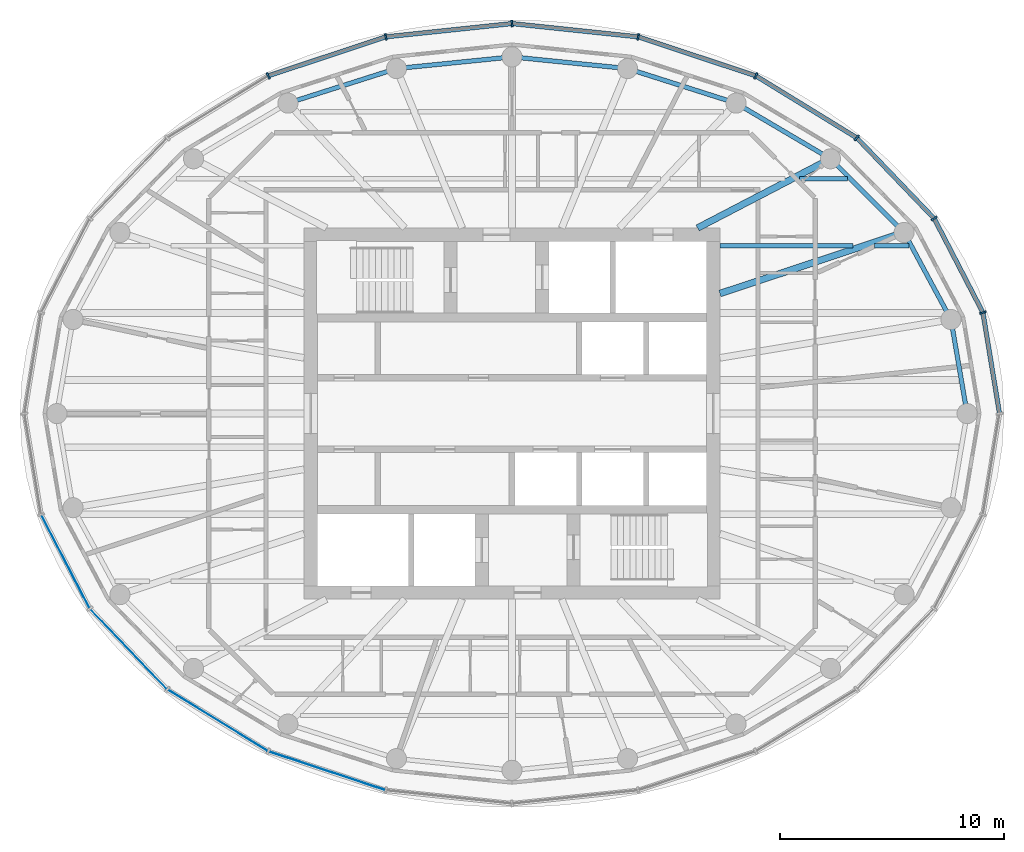
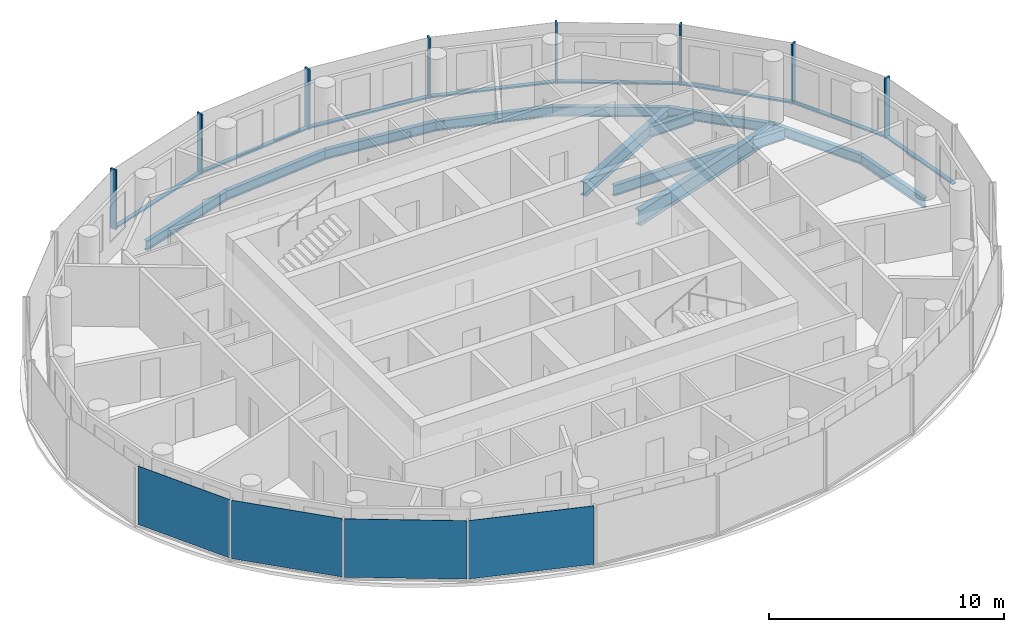
# One storey, part 3 of 11: 16 members, 13 beams, 4 plates, 3 elements without a shape of their own.
"""IFC4 building model written with IfcOpenShell, lengths in metres."""

from ifc_helpers import new_model, si_unit, direction, frame, origin, origin_2d, place, context, subcontext, project, spatial, rectangle, i_section, extrude, material, layer, layer_set, material_profile, profile_set, type_object, element, aggregate, save


model = new_model("IFC4")

# Units and contexts
model_context = context("Model", 3, precision=1e-05, world=origin(), true_north=direction((0.0, 1.0)))
body_context = subcontext(model_context, "Body", "Model", "MODEL_VIEW")
ifc_project = project(units=[si_unit("LENGTHUNIT", "METRE"), si_unit("AREAUNIT", "SQUARE_METRE"), si_unit("VOLUMEUNIT", "CUBIC_METRE"), si_unit("PLANEANGLEUNIT", "RADIAN"), si_unit("MASSUNIT", "GRAM", prefix="KILO")], contexts=[model_context])

# Site, building, storey
site_placement = place(None, origin())
site = spatial("IfcSite", under=ifc_project, at=site_placement, CompositionType="ELEMENT")
building_placement = place(site_placement, origin())
building = spatial("IfcBuilding", under=site, at=building_placement, Name="Hankou Lantern Tower", CompositionType="ELEMENT")
storey_placement = place(building_placement, frame((0.0, 0.0, 212.699951171875)))
storey = spatial("IfcBuildingStorey", under=building, at=storey_placement, Name="L57", CompositionType="ELEMENT", Elevation=212.699951171875)

# Beams
ifc_material_1 = material(Name="Steel Q355B", Category="steel")
ifc_material_profile_1 = material_profile(ifc_material_1, i_section(OverallWidth=0.199951171875, OverallDepth=0.5, WebThickness=0.010009765625, FlangeThickness=0.01611328125, FilletRadius=0.012939453125, at=origin_2d()), Name="HN500x200x10x16")
ifc_profile_set_1 = profile_set([ifc_material_profile_1], Name="Steel Q355B")
beam_type_1 = type_object("IfcBeamType", Name="EB5 RING BEAM HN500x200x10x16", PredefinedType="SPANDREL", material=ifc_profile_set_1)
beam_1_placement = place(storey_placement, frame((20.35009765625, 0.0, -0.429931640625), z_axis=(-0.168876512999, 0.98563721691, 0.0), x_axis=(-0.98563721691, -0.168876512999, 0.0)))
element("IfcBeam", 1, at=beam_1_placement, inside=storey, type_object=beam_type_1, Name="Ring beam R01-R02 L57", PredefinedType="SPANDREL", context=body_context, shape_type="SweptSolid", body=[
    extrude(i_section(OverallWidth=0.199951171875, OverallDepth=0.5, WebThickness=0.010009765625, FlangeThickness=0.01611328125, FilletRadius=0.012939453125, at=origin_2d()), origin(), (0.0, 0.0, 1.0), 4.26904296875),
])
beam_2_placement = place(storey_placement, frame((19.629150390625, 4.207763671875, -0.429931640625), z_axis=(-0.474491806611, 0.880259919262, 0.0), x_axis=(-0.880259919262, -0.474491806611, 0.0)))
element("IfcBeam", 2, at=beam_2_placement, inside=storey, type_object=beam_type_1, Name="Ring beam R02-R03 L57", PredefinedType="SPANDREL", context=body_context, shape_type="SweptSolid", body=[
    extrude(i_section(OverallWidth=0.199951171875, OverallDepth=0.5, WebThickness=0.010009765625, FlangeThickness=0.01611328125, FilletRadius=0.012939453125, at=origin_2d()), origin(), (0.0, 0.0, 1.0), 4.419189453125),
])
beam_3_placement = place(storey_placement, frame((17.5322265625, 8.097900390625, -0.429931640625), z_axis=(-0.706608588034, 0.707604623583, 0.0), x_axis=(-0.707604623583, -0.706608588034, 0.0)))
element("IfcBeam", 3, at=beam_3_placement, inside=storey, type_object=beam_type_1, Name="Ring beam R03-R04 L57", PredefinedType="SPANDREL", context=body_context, shape_type="SweptSolid", body=[
    extrude(i_section(OverallWidth=0.199951171875, OverallDepth=0.5, WebThickness=0.010009765625, FlangeThickness=0.01611328125, FilletRadius=0.012939453125, at=origin_2d()), origin(), (0.0, 0.0, 1.0), 4.6572265625),
])
beam_4_placement = place(storey_placement, frame((14.241455078125, 11.393310546875, -0.429931640625), z_axis=(-0.861422897323, 0.507888365655, 0.0), x_axis=(-0.507888365655, -0.861422897323, 0.0)))
element("IfcBeam", 4, at=beam_4_placement, inside=storey, type_object=beam_type_1, Name="Ring beam R04-R05 L57", PredefinedType="SPANDREL", context=body_context, shape_type="SweptSolid", body=[
    extrude(i_section(OverallWidth=0.199951171875, OverallDepth=0.5, WebThickness=0.010009765625, FlangeThickness=0.01611328125, FilletRadius=0.012939453125, at=origin_2d()), origin(), (0.0, 0.0, 1.0), 4.901611328125),
])
beam_5_placement = place(storey_placement, frame((10.01904296875, 13.8828125, -0.429931640625), z_axis=(-0.952887359315, 0.303324381574, 0.0), x_axis=(-0.303324381574, -0.952887359315, 0.0)))
element("IfcBeam", 5, at=beam_5_placement, inside=storey, type_object=beam_type_1, Name="Ring beam R05-R06 L57", PredefinedType="SPANDREL", context=body_context, shape_type="SweptSolid", body=[
    extrude(i_section(OverallWidth=0.199951171875, OverallDepth=0.5, WebThickness=0.010009765625, FlangeThickness=0.01611328125, FilletRadius=0.012939453125, at=origin_2d()), origin(), (0.0, 0.0, 1.0), 5.091796875),
])
for number, where, z_axis, x_axis, name in (
    (6, (5.167236328125, 15.42724609375, -0.429931640625), (-0.994922507736, 0.100643944676, 0.0), (-0.100643944676, -0.994922507736, 0.0), "Ring beam R06-R07 L57"),
    (7, (0.0, 15.949951171875, -0.429931640625), (-0.994922507736, -0.100643944676, 0.0), (0.100643944676, -0.994922507736, 0.0), "Ring beam R07-R08 L57"),
):
    element("IfcBeam", number, at=place(storey_placement, frame(where, z_axis=z_axis, x_axis=x_axis)), inside=storey, type_object=beam_type_1, Name=name, PredefinedType="SPANDREL", context=body_context, shape_type="SweptSolid", body=[
        extrude(i_section(OverallWidth=0.199951171875, OverallDepth=0.5, WebThickness=0.010009765625, FlangeThickness=0.01611328125, FilletRadius=0.012939453125, at=origin_2d()), origin(), (0.0, 0.0, 1.0), 5.193603515625),
    ])
beam_6_placement = place(storey_placement, frame((-5.167236328125, 15.42724609375, -0.429931640625), z_axis=(-0.952887359315, -0.303324381574, 0.0), x_axis=(0.303324381574, -0.952887359315, 0.0)))
element("IfcBeam", 8, at=beam_6_placement, inside=storey, type_object=beam_type_1, Name="Ring beam R08-R09 L57", PredefinedType="SPANDREL", context=body_context, shape_type="SweptSolid", body=[
    extrude(i_section(OverallWidth=0.199951171875, OverallDepth=0.5, WebThickness=0.010009765625, FlangeThickness=0.01611328125, FilletRadius=0.012939453125, at=origin_2d()), origin(), (0.0, 0.0, 1.0), 5.091796875),
])

# Curtain wall, members
ifc_material_2 = material(Name="Glass, dark grey tinted laminated", Category="glass")
curtain_wall_type = type_object("IfcCurtainWallType", Name="CWD OUTER SKIN SUITE", PredefinedType="USERDEFINED", material=ifc_material_2)
curtain_wall_1_placement = place(storey_placement, origin())
curtain_wall_1 = element("IfcCurtainWall", 9, at=curtain_wall_1_placement, inside=storey, type_object=curtain_wall_type, Name="CWD L57 OS1", ObjectType="OUTER SKIN SUITE", PredefinedType="USERDEFINED")
ifc_material_3 = material(Name="Aluminium, black anodised", Category="aluminium")
ifc_material_profile_2 = material_profile(ifc_material_3, rectangle(XDim=0.080078125, YDim=0.300048828125, at=origin_2d()), Name="MU1 80X300")
ifc_profile_set_2 = profile_set([ifc_material_profile_2], Name="Aluminium, black anodised")
member_type_1 = type_object("IfcMemberType", Name="MU1 OUTER SKIN MULLION 80X300", PredefinedType="MULLION", material=ifc_profile_set_2)
member_1_placement = place(storey_placement, frame((21.05712890625, 4.513916015625, 0.0), z_axis=(0.0, 0.0, 1.0), x_axis=(-0.317595577365, 0.94822626479, 0.0)))
member_1 = element("IfcMember", 10, at=member_1_placement, type_object=member_type_1, Name="CWD mullion 2", PredefinedType="MULLION", context=body_context, shape_type="SweptSolid", body=[
    extrude(rectangle(XDim=0.080078125, YDim=0.300048828125, at=origin_2d()), origin(), (0.0, 0.0, 1.0), 3.1201171875),
])
member_2_placement = place(storey_placement, frame((18.87939453125, 8.719970703125, 0.0), z_axis=(0.0, 0.0, 1.0), x_axis=(-0.585205735974, 0.810884854084, 0.0)))
member_2 = element("IfcMember", 11, at=member_2_placement, type_object=member_type_1, Name="CWD mullion 3", PredefinedType="MULLION", context=body_context, shape_type="SweptSolid", body=[
    extrude(rectangle(XDim=0.080078125, YDim=0.300048828125, at=origin_2d()), origin(), (0.0, 0.0, 1.0), 3.1201171875),
])
member_3_placement = place(storey_placement, frame((15.4150390625, 12.33203125, 0.0), z_axis=(0.0, 0.0, 1.0), x_axis=(-0.780868809444, 0.624695047553, 0.0)))
member_3 = element("IfcMember", 12, at=member_3_placement, type_object=member_type_1, Name="CWD mullion 4", PredefinedType="MULLION", context=body_context, shape_type="SweptSolid", body=[
    extrude(rectangle(XDim=0.080078125, YDim=0.300048828125, at=origin_2d()), origin(), (0.0, 0.0, 1.0), 3.1201171875),
])
member_4_placement = place(storey_placement, frame((10.89990234375, 15.103515625, 0.0), z_axis=(0.0, 0.0, 1.0), x_axis=(-0.907841299004, 0.419313934686, 0.0)))
member_4 = element("IfcMember", 13, at=member_4_placement, type_object=member_type_1, Name="CWD mullion 5", PredefinedType="MULLION", context=body_context, shape_type="SweptSolid", body=[
    extrude(rectangle(XDim=0.080078125, YDim=0.300048828125, at=origin_2d()), origin(), (0.0, 0.0, 1.0), 3.1201171875),
])
member_5_placement = place(storey_placement, frame((5.642333984375, 16.845703125, 0.0), z_axis=(0.0, 0.0, 1.0), x_axis=(-0.977787659625, 0.209597931016, 0.0)))
member_5 = element("IfcMember", 14, at=member_5_placement, type_object=member_type_1, Name="CWD mullion 6", PredefinedType="MULLION", context=body_context, shape_type="SweptSolid", body=[
    extrude(rectangle(XDim=0.080078125, YDim=0.300048828125, at=origin_2d()), origin(), (0.0, 0.0, 1.0), 3.1201171875),
])

curtain_wall_2_placement = place(storey_placement, origin())
curtain_wall_2 = element("IfcCurtainWall", 15, at=curtain_wall_2_placement, inside=storey, type_object=curtain_wall_type, Name="CWD L57 OS2", ObjectType="OUTER SKIN SUITE", PredefinedType="USERDEFINED")
member_6_placement = place(storey_placement, frame((0.0, 17.43994140625, 0.0), z_axis=(0.0, 0.0, 1.0), x_axis=(-0.994499359107, -0.104742659579, 0.0)))
member_6 = element("IfcMember", 16, at=member_6_placement, type_object=member_type_1, Name="CWD mullion 1", PredefinedType="MULLION", context=body_context, shape_type="SweptSolid", body=[
    extrude(rectangle(XDim=0.080078125, YDim=0.300048828125, at=origin_2d()), origin(), (0.0, 0.0, 1.0), 3.1201171875),
])
member_7_placement = place(storey_placement, frame((-5.642333984375, 16.845703125, 0.0), z_axis=(0.0, 0.0, 1.0), x_axis=(-0.977787659625, -0.209597931016, 0.0)))
member_7 = element("IfcMember", 17, at=member_7_placement, type_object=member_type_1, Name="CWD mullion 2", PredefinedType="MULLION", context=body_context, shape_type="SweptSolid", body=[
    extrude(rectangle(XDim=0.080078125, YDim=0.300048828125, at=origin_2d()), origin(), (0.0, 0.0, 1.0), 3.1201171875),
])
member_8_placement = place(storey_placement, frame((-10.89990234375, 15.103515625, 0.0), z_axis=(0.0, 0.0, 1.0), x_axis=(-0.907841299004, -0.419313934686, 0.0)))
member_8 = element("IfcMember", 18, at=member_8_placement, type_object=member_type_1, Name="CWD mullion 3", PredefinedType="MULLION", context=body_context, shape_type="SweptSolid", body=[
    extrude(rectangle(XDim=0.080078125, YDim=0.300048828125, at=origin_2d()), origin(), (0.0, 0.0, 1.0), 3.1201171875),
])

# Beams
ifc_material_4 = material(Name="Steel Q355B", Category="steel")
ifc_material_profile_3 = material_profile(ifc_material_4, i_section(OverallWidth=0.300048828125, OverallDepth=0.800048828125, WebThickness=0.013916015625, FlangeThickness=0.02587890625, FilletRadius=0.01806640625, at=origin_2d()), Name="HN800x300x14x26")
ifc_profile_set_3 = profile_set([ifc_material_profile_3], Name="Steel Q355B")
beam_type_2 = type_object("IfcBeamType", Name="RB11 RADIAL BEAM HN800x300x14x26", PredefinedType="BEAM", material=ifc_profile_set_3)
beam_7_placement = place(storey_placement, frame((9.300048828125, 5.369384765625, -0.579833984375), z_axis=(0.949219608576, 0.314614263337, 0.0), x_axis=(-0.314614263337, 0.949219608576, 0.0)))
element("IfcBeam", 19, at=beam_7_placement, inside=storey, type_object=beam_type_2, Name="Radial beam R03 L57", PredefinedType="BEAM", context=body_context, shape_type="SweptSolid", body=[
    extrude(i_section(OverallWidth=0.300048828125, OverallDepth=0.800048828125, WebThickness=0.013916015625, FlangeThickness=0.02587890625, FilletRadius=0.01806640625, at=origin_2d()), origin(), (0.0, 0.0, 1.0), 8.672607421875),
])
ifc_material_5 = material(Name="Steel Q355B", Category="steel")
ifc_material_profile_4 = material_profile(ifc_material_5, i_section(OverallWidth=0.300048828125, OverallDepth=0.699951171875, WebThickness=0.012939453125, FlangeThickness=0.02392578125, FilletRadius=0.01806640625, at=origin_2d()), Name="HN700x300x13x24")
ifc_profile_set_4 = profile_set([ifc_material_profile_4], Name="Steel Q355B")
beam_type_3 = type_object("IfcBeamType", Name="RB9 RADIAL BEAM HN700x300x13x24", PredefinedType="BEAM", material=ifc_profile_set_4)
beam_8_placement = place(storey_placement, frame((8.300048828125, 8.300048828125, -0.530029296875), z_axis=(0.886988734783, 0.461791061378, 0.0), x_axis=(-0.461791061378, 0.886988734783, 0.0)))
element("IfcBeam", 20, at=beam_8_placement, inside=storey, type_object=beam_type_3, Name="Radial beam R04 L57", PredefinedType="BEAM", context=body_context, shape_type="SweptSolid", body=[
    extrude(i_section(OverallWidth=0.300048828125, OverallDepth=0.699951171875, WebThickness=0.012939453125, FlangeThickness=0.02392578125, FilletRadius=0.01806640625, at=origin_2d()), origin(), (0.0, 0.0, 1.0), 6.698486328125),
])
ifc_material_6 = material(Name="Steel Q355B", Category="steel")
ifc_material_profile_5 = material_profile(ifc_material_6, i_section(OverallWidth=0.199951171875, OverallDepth=0.550048828125, WebThickness=0.010009765625, FlangeThickness=0.01611328125, FilletRadius=0.012939453125, at=origin_2d()), Name="HN550x200x10x16")
ifc_profile_set_5 = profile_set([ifc_material_profile_5], Name="Steel Q355B")
beam_type_4 = type_object("IfcBeamType", Name="SB6 SECONDARY BEAM HN550x200x10x16", PredefinedType="JOIST", material=ifc_profile_set_5)
beam_9_placement = place(storey_placement, frame((9.300048828125, 7.5, -0.454833984375), z_axis=(1.0, 0.0, 0.0), x_axis=(0.0, 1.0, 0.0)))
element("IfcBeam", 21, at=beam_9_placement, inside=storey, type_object=beam_type_4, Name="Floor joist J027 L57", PredefinedType="JOIST", context=body_context, shape_type="SweptSolid", body=[
    extrude(i_section(OverallWidth=0.199951171875, OverallDepth=0.550048828125, WebThickness=0.010009765625, FlangeThickness=0.01611328125, FilletRadius=0.012939453125, at=origin_2d()), origin(), (0.0, 0.0, 1.0), 5.95166015625),
])
beam_10_placement = place(storey_placement, frame((16.205322265625, 7.5, -0.454833984375), z_axis=(1.0, 0.0, 0.0), x_axis=(0.0, 1.0, 0.0)))
element("IfcBeam", 22, at=beam_10_placement, inside=storey, type_object=beam_type_4, Name="Floor joist J028 L57", PredefinedType="JOIST", context=body_context, shape_type="SweptSolid", body=[
    extrude(i_section(OverallWidth=0.199951171875, OverallDepth=0.550048828125, WebThickness=0.010009765625, FlangeThickness=0.01611328125, FilletRadius=0.012939453125, at=origin_2d()), origin(), (0.0, 0.0, 1.0), 1.53564453125),
])
beam_11_placement = place(storey_placement, frame((12.8505859375, 10.5, -0.454833984375), z_axis=(1.0, 0.0, 0.0), x_axis=(0.0, 1.0, 0.0)))
element("IfcBeam", 23, at=beam_11_placement, inside=storey, type_object=beam_type_4, Name="Floor joist J036 L57", PredefinedType="JOIST", context=body_context, shape_type="SweptSolid", body=[
    extrude(i_section(OverallWidth=0.199951171875, OverallDepth=0.550048828125, WebThickness=0.010009765625, FlangeThickness=0.01611328125, FilletRadius=0.012939453125, at=origin_2d()), origin(), (0.0, 0.0, 1.0), 2.1416015625),
])

# Member
ifc_material_7 = material(Name="Aluminium, black anodised", Category="aluminium")
ifc_material_profile_6 = material_profile(ifc_material_7, rectangle(XDim=0.199951171875, YDim=0.080078125, at=origin_2d()), Name="TR1 200X80")
ifc_profile_set_6 = profile_set([ifc_material_profile_6], Name="Aluminium, black anodised")
member_type_2 = type_object("IfcMemberType", Name="TR1 OUTER SKIN TRANSOM 200X80", PredefinedType="USERDEFINED", material=ifc_profile_set_6)
member_9_placement = place(storey_placement, frame((21.79345703125, 0.03955078125, 0.0400390625), z_axis=(-0.162363822839, 0.986730960816, 0.0), x_axis=(-0.986730960816, -0.162363822839, 0.0)))
member_9 = element("IfcMember", 24, at=member_9_placement, type_object=member_type_2, Name="CWD transom 1", ObjectType="TRANSOM", PredefinedType="USERDEFINED", context=body_context, shape_type="SweptSolid", body=[
    extrude(rectangle(XDim=0.199951171875, YDim=0.080078125, at=origin_2d()), origin(), (0.0, 0.0, 1.0), 4.494384765625),
])

member_10_placement = place(storey_placement, frame((21.038818359375, 4.54931640625, 0.0400390625), z_axis=(-0.45979371115, 0.888025755925, 0.0), x_axis=(-0.888025755925, -0.45979371115, 0.0)))
member_10 = element("IfcMember", 25, at=member_10_placement, type_object=member_type_2, Name="CWD transom 2", ObjectType="TRANSOM", PredefinedType="USERDEFINED", context=body_context, shape_type="SweptSolid", body=[
    extrude(rectangle(XDim=0.199951171875, YDim=0.080078125, at=origin_2d()), origin(), (0.0, 0.0, 1.0), 4.65673828125),
])

member_11_placement = place(storey_placement, frame((18.8515625, 8.748779296875, 0.0400390625), z_axis=(-0.692204633274, 0.721701285626, 0.0), x_axis=(-0.721701285626, -0.692204633274, 0.0)))
member_11 = element("IfcMember", 26, at=member_11_placement, type_object=member_type_2, Name="CWD transom 3", ObjectType="TRANSOM", PredefinedType="USERDEFINED", context=body_context, shape_type="SweptSolid", body=[
    extrude(rectangle(XDim=0.199951171875, YDim=0.080078125, at=origin_2d()), origin(), (0.0, 0.0, 1.0), 4.9248046875),
])

member_12_placement = place(storey_placement, frame((15.380859375, 12.352783203125, 0.0400390625), z_axis=(-0.852234544008, 0.523159900986, 0.0), x_axis=(-0.523159900986, -0.852234544008, 0.0)))
member_12 = element("IfcMember", 27, at=member_12_placement, type_object=member_type_2, Name="CWD transom 4", ObjectType="TRANSOM", PredefinedType="USERDEFINED", context=body_context, shape_type="SweptSolid", body=[
    extrude(rectangle(XDim=0.199951171875, YDim=0.080078125, at=origin_2d()), origin(), (0.0, 0.0, 1.0), 5.2177734375),
])

member_13_placement = place(storey_placement, frame((10.862060546875, 15.115966796875, 0.0400390625), z_axis=(-0.949231947668, 0.314577032739, 0.0), x_axis=(-0.314577032739, -0.949231947668, 0.0)))
member_13 = element("IfcMember", 28, at=member_13_placement, type_object=member_type_2, Name="CWD transom 5", ObjectType="TRANSOM", PredefinedType="USERDEFINED", context=body_context, shape_type="SweptSolid", body=[
    extrude(rectangle(XDim=0.199951171875, YDim=0.080078125, at=origin_2d()), origin(), (0.0, 0.0, 1.0), 5.458984375),
])

member_14_placement = place(storey_placement, frame((5.6025390625, 16.849853515625, 0.0400390625), z_axis=(-0.994498275726, 0.104752945435, 0.0), x_axis=(-0.104752945435, -0.994498275726, 0.0)))
member_14 = element("IfcMember", 29, at=member_14_placement, type_object=member_type_2, Name="CWD transom 6", ObjectType="TRANSOM", PredefinedType="USERDEFINED", context=body_context, shape_type="SweptSolid", body=[
    extrude(rectangle(XDim=0.199951171875, YDim=0.080078125, at=origin_2d()), origin(), (0.0, 0.0, 1.0), 5.593505859375),
])

aggregate(curtain_wall_1, [member_1, member_2, member_3, member_4, member_5, member_9, member_10, member_11, member_12, member_13, member_14])

member_15_placement = place(storey_placement, frame((-0.039794921875, 17.435791015625, 0.0400390625), z_axis=(-0.994498275726, -0.104752945435, 0.0), x_axis=(0.104752945435, -0.994498275726, 0.0)))
member_15 = element("IfcMember", 30, at=member_15_placement, type_object=member_type_2, Name="CWD transom 1", ObjectType="TRANSOM", PredefinedType="USERDEFINED", context=body_context, shape_type="SweptSolid", body=[
    extrude(rectangle(XDim=0.199951171875, YDim=0.080078125, at=origin_2d()), origin(), (0.0, 0.0, 1.0), 5.593505859375),
])

member_16_placement = place(storey_placement, frame((-5.68017578125, 16.833251953125, 0.0400390625), z_axis=(-0.949231947668, -0.314577032739, 0.0), x_axis=(0.314577032739, -0.949231947668, 0.0)))
member_16 = element("IfcMember", 31, at=member_16_placement, type_object=member_type_2, Name="CWD transom 2", ObjectType="TRANSOM", PredefinedType="USERDEFINED", context=body_context, shape_type="SweptSolid", body=[
    extrude(rectangle(XDim=0.199951171875, YDim=0.080078125, at=origin_2d()), origin(), (0.0, 0.0, 1.0), 5.458984375),
])

aggregate(curtain_wall_2, [member_6, member_7, member_8, member_15, member_16])

# Curtain wall, plates
curtain_wall_3_placement = place(storey_placement, origin())
curtain_wall_3 = element("IfcCurtainWall", 32, at=curtain_wall_3_placement, inside=storey, type_object=curtain_wall_type, Name="CWD L57 OS3", ObjectType="OUTER SKIN SUITE", PredefinedType="USERDEFINED")
ifc_material_8 = material(Name="Glass, dark grey tinted laminated", Category="glass")
ifc_layer = layer(ifc_material_8, 0.02392578125)
ifc_layer_set = layer_set([ifc_layer], Name="Glass, dark grey tinted laminated")
plate_type = type_object("IfcPlateType", Name="PN1 OUTER SKIN GLASS PANEL", PredefinedType="CURTAIN_PANEL", material=ifc_layer_set)
plate_1_placement = place(storey_placement, frame((-19.96826171875, -6.616943359375, 0.080078125), z_axis=(0.0, 0.0, 1.0), x_axis=(0.459791091957, -0.888027112062, 0.0)))
plate_1 = element("IfcPlate", 33, at=plate_1_placement, type_object=plate_type, Name="CWD glass panel 2", PredefinedType="CURTAIN_PANEL", context=body_context, shape_type="SweptSolid", body=[
    extrude(rectangle(XDim=4.656494140625, YDim=0.02392578125, at=origin_2d()), origin(), (0.0, 0.0, 1.0), 3.0400390625),
])
plate_2_placement = place(storey_placement, frame((-17.147216796875, -10.52587890625, 0.080078125), z_axis=(0.0, 0.0, 1.0), x_axis=(0.692215809936, -0.721690565599, 0.0)))
plate_2 = element("IfcPlate", 34, at=plate_2_placement, type_object=plate_type, Name="CWD glass panel 3", PredefinedType="CURTAIN_PANEL", context=body_context, shape_type="SweptSolid", body=[
    extrude(rectangle(XDim=4.9248046875, YDim=0.02392578125, at=origin_2d()), origin(), (0.0, 0.0, 1.0), 3.0400390625),
])
plate_3_placement = place(storey_placement, frame((-13.157470703125, -13.7177734375, 0.080078125), z_axis=(0.0, 0.0, 1.0), x_axis=(0.852237151549, -0.523155653242, 0.0)))
plate_3 = element("IfcPlate", 35, at=plate_3_placement, type_object=plate_type, Name="CWD glass panel 4", PredefinedType="CURTAIN_PANEL", context=body_context, shape_type="SweptSolid", body=[
    extrude(rectangle(XDim=5.2177734375, YDim=0.02392578125, at=origin_2d()), origin(), (0.0, 0.0, 1.0), 3.0400390625),
])
plate_4_placement = place(storey_placement, frame((-8.271240234375, -15.974609375, 0.080078125), z_axis=(0.0, 0.0, 1.0), x_axis=(0.949240677293, -0.31455068999, 0.0)))
plate_4 = element("IfcPlate", 36, at=plate_4_placement, type_object=plate_type, Name="CWD glass panel 5", PredefinedType="CURTAIN_PANEL", context=body_context, shape_type="SweptSolid", body=[
    extrude(rectangle(XDim=5.458984375, YDim=0.02392578125, at=origin_2d()), origin(), (0.0, 0.0, 1.0), 3.0400390625),
])
aggregate(curtain_wall_3, [plate_1, plate_2, plate_3, plate_4])

save(model, "model.ifc")
